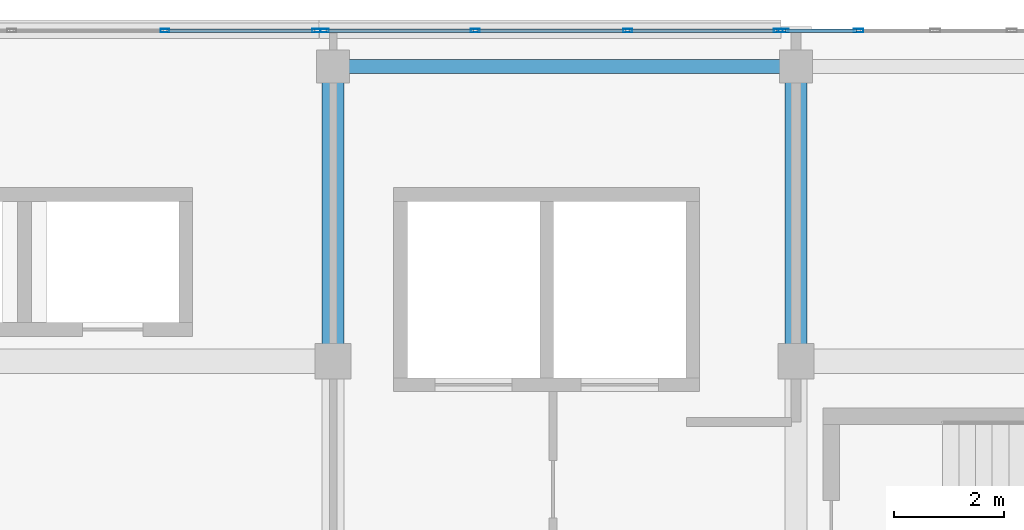
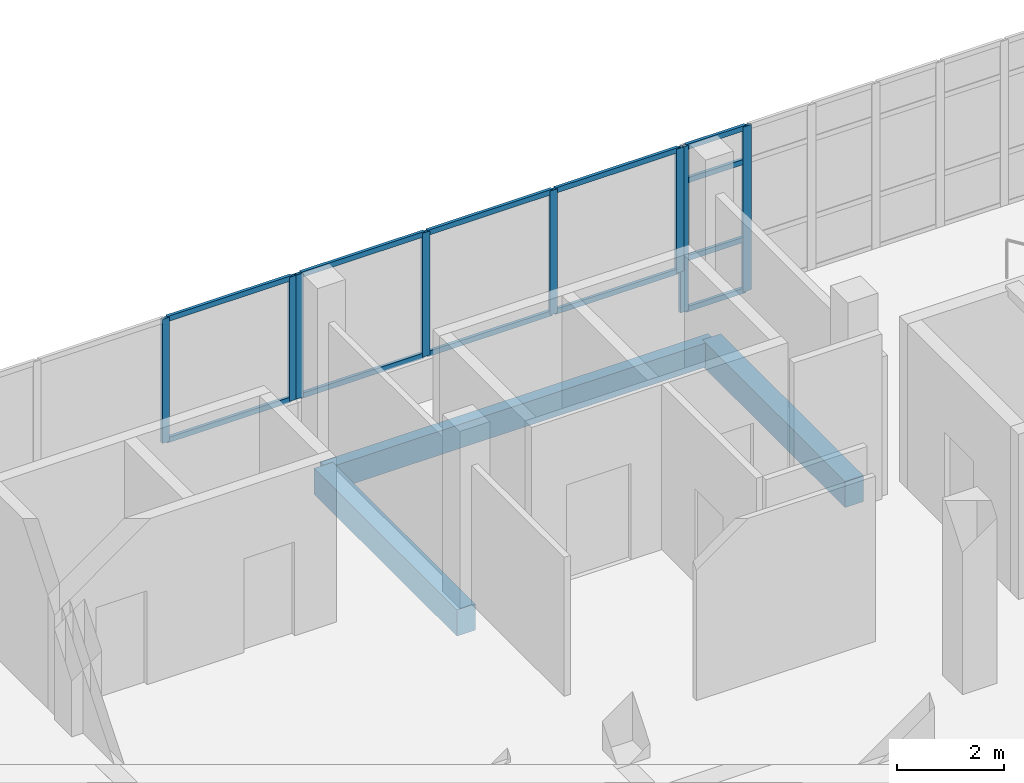
# One storey, part 42 of 76: 20 members, 3 beams, 3 elements without a shape of their own.
"""IFC4 building model written with IfcOpenShell, lengths in metres."""

from ifc_helpers import new_model, si_unit, direction, frame, origin, origin_2d, place, context, subcontext, project, spatial, rectangle, hollow_rectangle, extrude, material, material_profile, profile_set, type_object, element, aggregate, save


model = new_model("IFC4")

# Units and contexts
model_context = context("Model", 3, precision=1e-05, world=origin(), true_north=direction((0.0, 1.0)))
body_context = subcontext(model_context, "Body", "Model", "MODEL_VIEW")
ifc_project = project(units=[si_unit("LENGTHUNIT", "METRE"), si_unit("AREAUNIT", "SQUARE_METRE"), si_unit("VOLUMEUNIT", "CUBIC_METRE"), si_unit("PLANEANGLEUNIT", "RADIAN"), si_unit("MASSUNIT", "GRAM", prefix="KILO")], contexts=[model_context])

# Site, building, storey
site_placement = place(None, origin())
site = spatial("IfcSite", under=ifc_project, at=site_placement, CompositionType="ELEMENT")
building_placement = place(site_placement, origin())
building = spatial("IfcBuilding", under=site, at=building_placement, Name="Selatvlak General Hospital", CompositionType="ELEMENT")
storey_placement = place(building_placement, frame((0.0, 0.0, 27.300048828125)))
storey = spatial("IfcBuildingStorey", under=building, at=storey_placement, Name="L06", CompositionType="ELEMENT", Elevation=27.300048828125)

# Beams
ifc_material_1 = material(Name="Concrete C40/50", Category="concrete")
ifc_material_profile_1 = material_profile(ifc_material_1, rectangle(XDim=0.39990234375, YDim=0.60009765625, at=origin_2d()), Name="RC-BM 400x600")
ifc_profile_set_1 = profile_set([ifc_material_profile_1], Name="Concrete C40/50")
beam_type_1 = type_object("IfcBeamType", Name="BM-G05", PredefinedType="BEAM", material=ifc_profile_set_1)
for number, where, z_axis, x_axis, name in (
    (1, (123.60009765625, 114.0, -0.574951171875), (0.0, 1.0, 0.0), (-1.0, 0.0, 0.0), "Beam BMR-L06-2304"),
    (2, (132.0, 114.0, -0.574951171875), (0.0, 1.0, 0.0), (-1.0, 0.0, 0.0), "Beam BMR-L06-2308"),
):
    element("IfcBeam", number, at=place(storey_placement, frame(where, z_axis=z_axis, x_axis=x_axis)), inside=storey, type_object=beam_type_1, Name=name, PredefinedType="BEAM", context=body_context, shape_type="SweptSolid", body=[
        extrude(rectangle(XDim=0.39990234375, YDim=0.60009765625, at=origin_2d()), origin(), (0.0, 0.0, 1.0), 5.35009765625),
    ])
ifc_material_profile_2 = material_profile(ifc_material_1, rectangle(XDim=0.25, YDim=0.550048828125, at=origin_2d()), Name="RC-SP 250x550")
ifc_profile_set_2 = profile_set([ifc_material_profile_2], Name="Concrete C40/50")
beam_type_2 = type_object("IfcBeamType", Name="BM-SP2", PredefinedType="SPANDREL", material=ifc_profile_set_2)
beam_placement = place(storey_placement, frame((123.60009765625, 119.35009765625, -0.550048828125), z_axis=(1.0, 0.0, 0.0), x_axis=(0.0, 1.0, 0.0)))
element("IfcBeam", 3, at=beam_placement, inside=storey, type_object=beam_type_2, Name="Beam BMR-L06-2238", PredefinedType="SPANDREL", context=body_context, shape_type="SweptSolid", body=[
    extrude(rectangle(XDim=0.25, YDim=0.550048828125, at=origin_2d()), origin(), (0.0, 0.0, 1.0), 8.39990234375),
])

# Curtain wall, members
ifc_material_2 = material(Name="Solar-control Low-E double glazing", Category="glass")
curtain_wall_type_1 = type_object("IfcCurtainWallType", Name="CW-CW-01", PredefinedType="USERDEFINED", material=ifc_material_2)
curtain_wall_1_placement = place(storey_placement, origin())
curtain_wall_1 = element("IfcCurtainWall", 4, at=curtain_wall_1_placement, inside=storey, type_object=curtain_wall_type_1, Name="Glazed facade curtain wall CW-L06-0609", ObjectType="UNITISED CURTAIN WALL", PredefinedType="USERDEFINED")
ifc_material_3 = material(Name="Dark anodised aluminium mullion", Category="aluminium")
ifc_material_profile_3 = material_profile(ifc_material_3, hollow_rectangle(XDim=0.06494140625, YDim=0.159912109375, WallThickness=0.00390625, at=origin_2d()), Name="AL-MUL 65x160x4")
ifc_profile_set_3 = profile_set([ifc_material_profile_3], Name="Dark anodised aluminium mullion")
member_type_1 = type_object("IfcMemberType", Name="CWM-01", PredefinedType="MULLION", material=ifc_profile_set_3)
member_1_placement = place(storey_placement, frame((120.549072265625, 120.0, 0.93994140625), z_axis=(0.0, 0.0, 1.0), x_axis=(0.0, 1.0, 0.0)))
member_1 = element("IfcMember", 5, at=member_1_placement, type_object=member_type_1, Name="CW-01 mullion 3", PredefinedType="MULLION", context=body_context, shape_type="SweptSolid", body=[
    extrude(hollow_rectangle(XDim=0.06494140625, YDim=0.159912109375, WallThickness=0.00390625, at=origin_2d()), origin(), (0.0, 0.0, 1.0), 2.840087890625),
])
member_2_placement = place(storey_placement, frame((123.299560546875, 120.0, 0.93994140625), z_axis=(0.0, 0.0, 1.0), x_axis=(0.0, 1.0, 0.0)))
member_2 = element("IfcMember", 6, at=member_2_placement, type_object=member_type_1, Name="CW-01 mullion 4", PredefinedType="MULLION", context=body_context, shape_type="SweptSolid", body=[
    extrude(hollow_rectangle(XDim=0.06494140625, YDim=0.159912109375, WallThickness=0.00390625, at=origin_2d()), origin(), (0.0, 0.0, 1.0), 2.840087890625),
])

curtain_wall_type_2 = type_object("IfcCurtainWallType", Name="CW-CW-02", PredefinedType="USERDEFINED", material=ifc_material_2)
curtain_wall_2_placement = place(storey_placement, origin())
curtain_wall_2 = element("IfcCurtainWall", 7, at=curtain_wall_2_placement, inside=storey, type_object=curtain_wall_type_2, Name="Glazed facade curtain wall CW-L06-0610", ObjectType="UNITISED CURTAIN WALL", PredefinedType="USERDEFINED")
member_3_placement = place(storey_placement, frame((123.444580078125, 120.0, 0.93994140625), z_axis=(0.0, 0.0, 1.0), x_axis=(0.0, 1.0, 0.0)))
member_3 = element("IfcMember", 8, at=member_3_placement, type_object=member_type_1, Name="CW-02 mullion 1", PredefinedType="MULLION", context=body_context, shape_type="SweptSolid", body=[
    extrude(hollow_rectangle(XDim=0.06494140625, YDim=0.159912109375, WallThickness=0.00390625, at=origin_2d()), origin(), (0.0, 0.0, 1.0), 2.840087890625),
])
member_4_placement = place(storey_placement, frame((126.17822265625, 120.0, 0.93994140625), z_axis=(0.0, 0.0, 1.0), x_axis=(0.0, 1.0, 0.0)))
member_4 = element("IfcMember", 9, at=member_4_placement, type_object=member_type_1, Name="CW-02 mullion 2", PredefinedType="MULLION", context=body_context, shape_type="SweptSolid", body=[
    extrude(hollow_rectangle(XDim=0.06494140625, YDim=0.159912109375, WallThickness=0.00390625, at=origin_2d()), origin(), (0.0, 0.0, 1.0), 2.840087890625),
])
member_5_placement = place(storey_placement, frame((128.944580078125, 120.0, 0.93994140625), z_axis=(0.0, 0.0, 1.0), x_axis=(0.0, 1.0, 0.0)))
member_5 = element("IfcMember", 10, at=member_5_placement, type_object=member_type_1, Name="CW-02 mullion 3", PredefinedType="MULLION", context=body_context, shape_type="SweptSolid", body=[
    extrude(hollow_rectangle(XDim=0.06494140625, YDim=0.159912109375, WallThickness=0.00390625, at=origin_2d()), origin(), (0.0, 0.0, 1.0), 2.840087890625),
])
member_6_placement = place(storey_placement, frame((131.678466796875, 120.0, 0.93994140625), z_axis=(0.0, 0.0, 1.0), x_axis=(0.0, 1.0, 0.0)))
member_6 = element("IfcMember", 11, at=member_6_placement, type_object=member_type_1, Name="CW-02 mullion 4", PredefinedType="MULLION", context=body_context, shape_type="SweptSolid", body=[
    extrude(hollow_rectangle(XDim=0.06494140625, YDim=0.159912109375, WallThickness=0.00390625, at=origin_2d()), origin(), (0.0, 0.0, 1.0), 2.840087890625),
])

curtain_wall_type_3 = type_object("IfcCurtainWallType", Name="CW-CW-04", PredefinedType="USERDEFINED", material=ifc_material_2)
curtain_wall_3_placement = place(storey_placement, origin())
curtain_wall_3 = element("IfcCurtainWall", 12, at=curtain_wall_3_placement, inside=storey, type_object=curtain_wall_type_3, Name="Glazed facade curtain wall CW-L06-0611", ObjectType="STICK GLAZING WALL", PredefinedType="USERDEFINED")
ifc_material_profile_4 = material_profile(ifc_material_3, hollow_rectangle(XDim=0.06494140625, YDim=0.179931640625, WallThickness=0.00439453125, at=origin_2d()), Name="AL-MUL 65x180x4.5")
ifc_profile_set_4 = profile_set([ifc_material_profile_4], Name="Dark anodised aluminium mullion")
member_type_2 = type_object("IfcMemberType", Name="CWM-02", PredefinedType="MULLION", material=ifc_profile_set_4)
member_7_placement = place(storey_placement, frame((131.7734375, 120.0, 0.0), z_axis=(0.0, 0.0, 1.0), x_axis=(0.0, 1.0, 0.0)))
member_7 = element("IfcMember", 13, at=member_7_placement, type_object=member_type_2, Name="CW-04 mullion 1", PredefinedType="MULLION", context=body_context, shape_type="SweptSolid", body=[
    extrude(hollow_rectangle(XDim=0.06494140625, YDim=0.179931640625, WallThickness=0.00439453125, at=origin_2d()), origin(), (0.0, 0.0, 1.0), 3.780029296875),
])
member_8_placement = place(storey_placement, frame((133.132568359375, 120.0, 0.0), z_axis=(0.0, 0.0, 1.0), x_axis=(0.0, 1.0, 0.0)))
member_8 = element("IfcMember", 14, at=member_8_placement, type_object=member_type_2, Name="CW-04 mullion 2", PredefinedType="MULLION", context=body_context, shape_type="SweptSolid", body=[
    extrude(hollow_rectangle(XDim=0.06494140625, YDim=0.179931640625, WallThickness=0.00439453125, at=origin_2d()), origin(), (0.0, 0.0, 1.0), 3.780029296875),
])

# Member
ifc_material_profile_5 = material_profile(ifc_material_3, hollow_rectangle(XDim=0.06494140625, YDim=0.1201171875, WallThickness=0.00390625, at=origin_2d()), Name="AL-TRN 65x120x4")
ifc_profile_set_5 = profile_set([ifc_material_profile_5], Name="Dark anodised aluminium mullion")
member_type_3 = type_object("IfcMemberType", Name="CWT-01", PredefinedType="USERDEFINED", material=ifc_profile_set_5)
member_9_placement = place(storey_placement, frame((120.58154296875, 120.0, 0.972412109375), z_axis=(1.0, 0.0, 0.0), x_axis=(0.0, 1.0, 0.0)))
member_9 = element("IfcMember", 15, at=member_9_placement, type_object=member_type_3, Name="CW-01 transom 3.1", ObjectType="TRANSOM", PredefinedType="USERDEFINED", context=body_context, shape_type="SweptSolid", body=[
    extrude(hollow_rectangle(XDim=0.06494140625, YDim=0.1201171875, WallThickness=0.00390625, at=origin_2d()), origin(), (0.0, 0.0, 1.0), 2.685546875),
])

member_10_placement = place(storey_placement, frame((120.58154296875, 120.0, 3.74755859375), z_axis=(1.0, 0.0, 0.0), x_axis=(0.0, 1.0, 0.0)))
member_10 = element("IfcMember", 16, at=member_10_placement, type_object=member_type_3, Name="CW-01 transom 3.2", ObjectType="TRANSOM", PredefinedType="USERDEFINED", context=body_context, shape_type="SweptSolid", body=[
    extrude(hollow_rectangle(XDim=0.06494140625, YDim=0.1201171875, WallThickness=0.00390625, at=origin_2d()), origin(), (0.0, 0.0, 1.0), 2.685546875),
])

aggregate(curtain_wall_1, [member_1, member_2, member_9, member_10])

member_11_placement = place(storey_placement, frame((123.47705078125, 120.0, 0.972412109375), z_axis=(1.0, 0.0, 0.0), x_axis=(0.0, 1.0, 0.0)))
member_11 = element("IfcMember", 17, at=member_11_placement, type_object=member_type_3, Name="CW-02 transom 1.1", ObjectType="TRANSOM", PredefinedType="USERDEFINED", context=body_context, shape_type="SweptSolid", body=[
    extrude(hollow_rectangle(XDim=0.06494140625, YDim=0.1201171875, WallThickness=0.00390625, at=origin_2d()), origin(), (0.0, 0.0, 1.0), 2.668701171875),
])

member_12_placement = place(storey_placement, frame((123.47705078125, 120.0, 3.74755859375), z_axis=(1.0, 0.0, 0.0), x_axis=(0.0, 1.0, 0.0)))
member_12 = element("IfcMember", 18, at=member_12_placement, type_object=member_type_3, Name="CW-02 transom 1.2", ObjectType="TRANSOM", PredefinedType="USERDEFINED", context=body_context, shape_type="SweptSolid", body=[
    extrude(hollow_rectangle(XDim=0.06494140625, YDim=0.1201171875, WallThickness=0.00390625, at=origin_2d()), origin(), (0.0, 0.0, 1.0), 2.668701171875),
])

member_13_placement = place(storey_placement, frame((126.2109375, 120.0, 0.972412109375), z_axis=(1.0, 0.0, 0.0), x_axis=(0.0, 1.0, 0.0)))
member_13 = element("IfcMember", 19, at=member_13_placement, type_object=member_type_3, Name="CW-02 transom 2.1", ObjectType="TRANSOM", PredefinedType="USERDEFINED", context=body_context, shape_type="SweptSolid", body=[
    extrude(hollow_rectangle(XDim=0.06494140625, YDim=0.1201171875, WallThickness=0.00390625, at=origin_2d()), origin(), (0.0, 0.0, 1.0), 2.701171875),
])

member_14_placement = place(storey_placement, frame((126.2109375, 120.0, 3.74755859375), z_axis=(1.0, 0.0, 0.0), x_axis=(0.0, 1.0, 0.0)))
member_14 = element("IfcMember", 20, at=member_14_placement, type_object=member_type_3, Name="CW-02 transom 2.2", ObjectType="TRANSOM", PredefinedType="USERDEFINED", context=body_context, shape_type="SweptSolid", body=[
    extrude(hollow_rectangle(XDim=0.06494140625, YDim=0.1201171875, WallThickness=0.00390625, at=origin_2d()), origin(), (0.0, 0.0, 1.0), 2.701171875),
])

member_15_placement = place(storey_placement, frame((128.97705078125, 120.0, 0.972412109375), z_axis=(1.0, 0.0, 0.0), x_axis=(0.0, 1.0, 0.0)))
member_15 = element("IfcMember", 21, at=member_15_placement, type_object=member_type_3, Name="CW-02 transom 3.1", ObjectType="TRANSOM", PredefinedType="USERDEFINED", context=body_context, shape_type="SweptSolid", body=[
    extrude(hollow_rectangle(XDim=0.06494140625, YDim=0.1201171875, WallThickness=0.00390625, at=origin_2d()), origin(), (0.0, 0.0, 1.0), 2.6689453125),
])

member_16_placement = place(storey_placement, frame((128.97705078125, 120.0, 3.74755859375), z_axis=(1.0, 0.0, 0.0), x_axis=(0.0, 1.0, 0.0)))
member_16 = element("IfcMember", 22, at=member_16_placement, type_object=member_type_3, Name="CW-02 transom 3.2", ObjectType="TRANSOM", PredefinedType="USERDEFINED", context=body_context, shape_type="SweptSolid", body=[
    extrude(hollow_rectangle(XDim=0.06494140625, YDim=0.1201171875, WallThickness=0.00390625, at=origin_2d()), origin(), (0.0, 0.0, 1.0), 2.6689453125),
])

aggregate(curtain_wall_2, [member_3, member_4, member_5, member_6, member_11, member_12, member_13, member_14, member_15, member_16])

member_17_placement = place(storey_placement, frame((131.805908203125, 120.0, 0.032470703125), z_axis=(1.0, 0.0, 0.0), x_axis=(0.0, 1.0, 0.0)))
member_17 = element("IfcMember", 23, at=member_17_placement, type_object=member_type_3, Name="CW-04 transom 1.1", ObjectType="TRANSOM", PredefinedType="USERDEFINED", context=body_context, shape_type="SweptSolid", body=[
    extrude(hollow_rectangle(XDim=0.06494140625, YDim=0.1201171875, WallThickness=0.00390625, at=origin_2d()), origin(), (0.0, 0.0, 1.0), 1.294189453125),
])

member_18_placement = place(storey_placement, frame((131.805908203125, 120.0, 1.199951171875), z_axis=(1.0, 0.0, 0.0), x_axis=(0.0, 1.0, 0.0)))
member_18 = element("IfcMember", 24, at=member_18_placement, type_object=member_type_3, Name="CW-04 transom 1.2", ObjectType="TRANSOM", PredefinedType="USERDEFINED", context=body_context, shape_type="SweptSolid", body=[
    extrude(hollow_rectangle(XDim=0.06494140625, YDim=0.1201171875, WallThickness=0.00390625, at=origin_2d()), origin(), (0.0, 0.0, 1.0), 1.294189453125),
])

member_19_placement = place(storey_placement, frame((131.805908203125, 120.0, 2.97998046875), z_axis=(1.0, 0.0, 0.0), x_axis=(0.0, 1.0, 0.0)))
member_19 = element("IfcMember", 25, at=member_19_placement, type_object=member_type_3, Name="CW-04 transom 1.3", ObjectType="TRANSOM", PredefinedType="USERDEFINED", context=body_context, shape_type="SweptSolid", body=[
    extrude(hollow_rectangle(XDim=0.06494140625, YDim=0.1201171875, WallThickness=0.00390625, at=origin_2d()), origin(), (0.0, 0.0, 1.0), 1.294189453125),
])

member_20_placement = place(storey_placement, frame((131.805908203125, 120.0, 3.74755859375), z_axis=(1.0, 0.0, 0.0), x_axis=(0.0, 1.0, 0.0)))
member_20 = element("IfcMember", 26, at=member_20_placement, type_object=member_type_3, Name="CW-04 transom 1.4", ObjectType="TRANSOM", PredefinedType="USERDEFINED", context=body_context, shape_type="SweptSolid", body=[
    extrude(hollow_rectangle(XDim=0.06494140625, YDim=0.1201171875, WallThickness=0.00390625, at=origin_2d()), origin(), (0.0, 0.0, 1.0), 1.294189453125),
])

aggregate(curtain_wall_3, [member_7, member_8, member_17, member_18, member_19, member_20])

save(model, "model.ifc")
